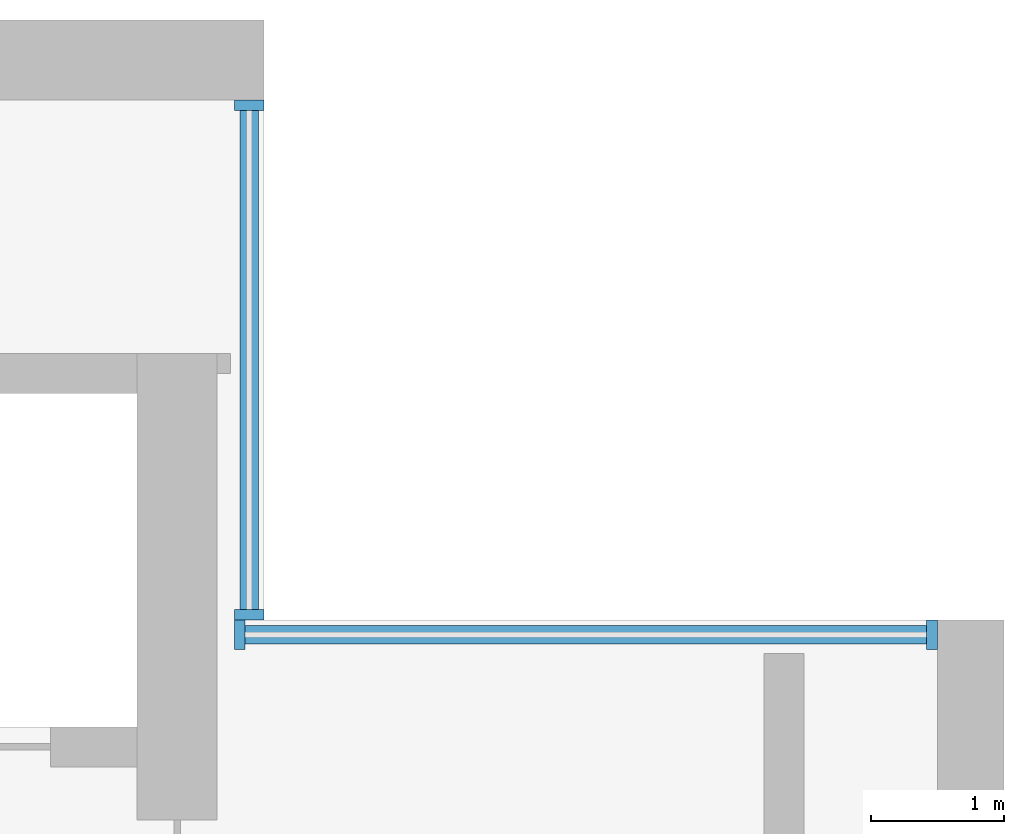
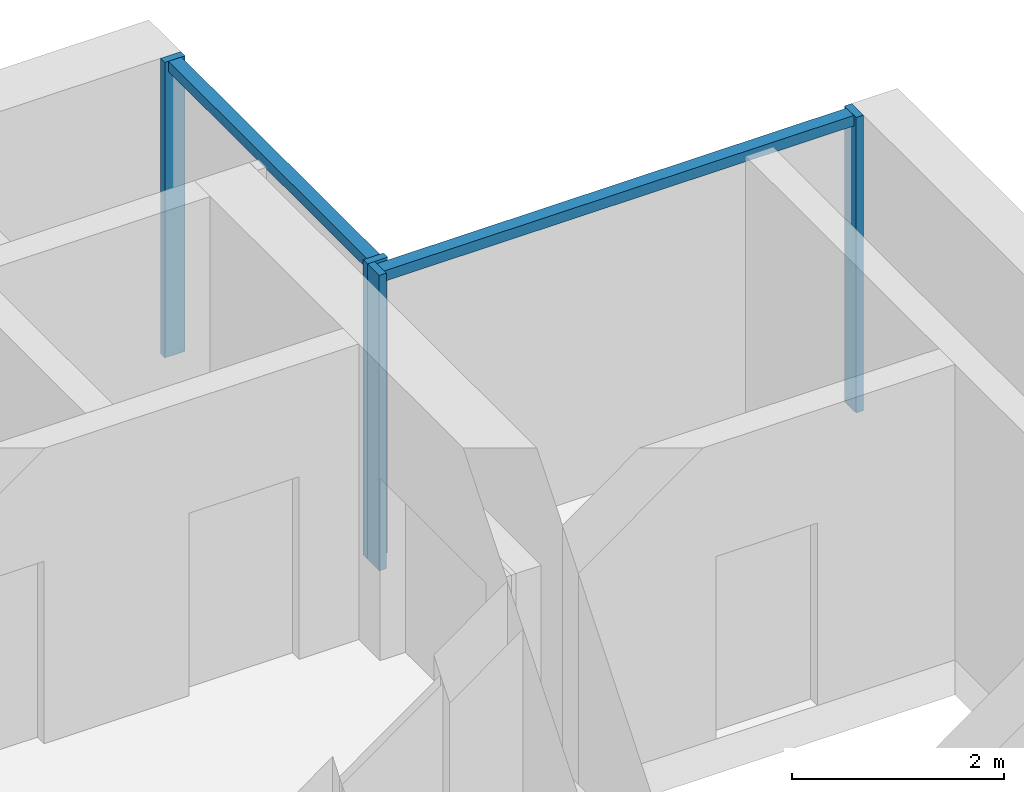
# One storey, part 5 of 14: 6 members, 2 elements without a shape of their own.
"""IFC4 building model written with IfcOpenShell, lengths in metres."""

from ifc_helpers import new_model, si_unit, direction, frame, origin, origin_2d, place, context, subcontext, project, spatial, rectangle, extrude, material, material_profile, profile_set, type_object, element, aggregate, save


model = new_model("IFC4")

# Units and contexts
model_context = context("Model", 3, precision=1e-05, world=origin(), true_north=direction((0.0, 1.0)))
body_context = subcontext(model_context, "Body", "Model", "MODEL_VIEW")
ifc_project = project(units=[si_unit("LENGTHUNIT", "METRE"), si_unit("AREAUNIT", "SQUARE_METRE"), si_unit("VOLUMEUNIT", "CUBIC_METRE"), si_unit("PLANEANGLEUNIT", "RADIAN"), si_unit("MASSUNIT", "GRAM", prefix="KILO")], contexts=[model_context])

# Site, building, storey
site_placement = place(None, origin())
site = spatial("IfcSite", under=ifc_project, at=site_placement, CompositionType="ELEMENT")
building_placement = place(site_placement, origin())
building = spatial("IfcBuilding", under=site, at=building_placement, Name="Calvaro Tower", CompositionType="ELEMENT")
storey_placement = place(building_placement, frame((0.0, 0.0, 258.35009765625)))
storey = spatial("IfcBuildingStorey", under=building, at=storey_placement, Name="L65", CompositionType="ELEMENT", Elevation=258.35009765625)

# Curtain wall, members
ifc_material_1 = material(Name="Anodised aluminium", Category="aluminium")
curtain_wall_type = type_object("IfcCurtainWallType", Name="Executive curtain wall", PredefinedType="NOTDEFINED", material=ifc_material_1)
curtain_wall_1_placement = place(storey_placement, origin())
curtain_wall_1 = element("IfcCurtainWall", 1, at=curtain_wall_1_placement, inside=storey, type_object=curtain_wall_type, Name="CW4 corner curtain wall", PredefinedType="NOTDEFINED")
ifc_material_2 = material(Name="Anodised aluminium", Category="aluminium")
ifc_material_profile_1 = material_profile(ifc_material_2, rectangle(XDim=0.219970703125, YDim=0.080078125, at=origin_2d()), Name="Mullion S4 80 x 220")
ifc_profile_set_1 = profile_set([ifc_material_profile_1], Name="Anodised aluminium")
member_type_1 = type_object("IfcMemberType", Name="Mullion S4 80 x 220", PredefinedType="MULLION", material=ifc_profile_set_1)
member_1_placement = place(storey_placement, frame((60.340087890625, 41.5400390625, 0.0), z_axis=(0.0, 0.0, 1.0), x_axis=(-1.0, 0.0, 0.0)))
member_1 = element("IfcMember", 2, at=member_1_placement, type_object=member_type_1, Name="CW4 mullion 1", PredefinedType="MULLION", context=body_context, shape_type="SweptSolid", body=[
    extrude(rectangle(XDim=0.219970703125, YDim=0.080078125, at=origin_2d()), origin(), (0.0, 0.0, 1.0), 3.39990234375),
])
member_2_placement = place(storey_placement, frame((60.340087890625, 45.360107421875, 0.0), z_axis=(0.0, 0.0, 1.0), x_axis=(-1.0, 0.0, 0.0)))
member_2 = element("IfcMember", 3, at=member_2_placement, type_object=member_type_1, Name="CW4 mullion 2", PredefinedType="MULLION", context=body_context, shape_type="SweptSolid", body=[
    extrude(rectangle(XDim=0.219970703125, YDim=0.080078125, at=origin_2d()), origin(), (0.0, 0.0, 1.0), 3.39990234375),
])

curtain_wall_2_placement = place(storey_placement, origin())
curtain_wall_2 = element("IfcCurtainWall", 4, at=curtain_wall_2_placement, inside=storey, type_object=curtain_wall_type, Name="CW4 corner curtain wall", PredefinedType="NOTDEFINED")
member_3_placement = place(storey_placement, frame((60.27001953125, 41.389892578125, 0.0), z_axis=(0.0, 0.0, 1.0), x_axis=(0.0, 1.0, 0.0)))
member_3 = element("IfcMember", 5, at=member_3_placement, type_object=member_type_1, Name="CW4 mullion 1", PredefinedType="MULLION", context=body_context, shape_type="SweptSolid", body=[
    extrude(rectangle(XDim=0.219970703125, YDim=0.080078125, at=origin_2d()), origin(), (0.0, 0.0, 1.0), 3.39990234375),
])
member_4_placement = place(storey_placement, frame((65.4599609375, 41.389892578125, 0.0), z_axis=(0.0, 0.0, 1.0), x_axis=(0.0, 1.0, 0.0)))
member_4 = element("IfcMember", 6, at=member_4_placement, type_object=member_type_1, Name="CW4 mullion 2", PredefinedType="MULLION", context=body_context, shape_type="SweptSolid", body=[
    extrude(rectangle(XDim=0.219970703125, YDim=0.080078125, at=origin_2d()), origin(), (0.0, 0.0, 1.0), 3.39990234375),
])

# Member
ifc_material_3 = material(Name="Anodised aluminium", Category="aluminium")
ifc_material_profile_2 = material_profile(ifc_material_3, rectangle(XDim=0.139892578125, YDim=0.1201171875, at=origin_2d()), Name="Transom S4 120 x 140")
ifc_profile_set_2 = profile_set([ifc_material_profile_2], Name="Anodised aluminium")
member_type_2 = type_object("IfcMemberType", Name="Transom S4 120 x 140", PredefinedType="USERDEFINED", material=ifc_profile_set_2)
member_5_placement = place(storey_placement, frame((60.340087890625, 41.580078125, 3.33984375), z_axis=(0.0, 1.0, 0.0), x_axis=(-1.0, 0.0, 0.0)))
member_5 = element("IfcMember", 7, at=member_5_placement, type_object=member_type_2, Name="CW4 transom 1.1", ObjectType="TRANSOM", PredefinedType="USERDEFINED", context=body_context, shape_type="SweptSolid", body=[
    extrude(rectangle(XDim=0.139892578125, YDim=0.1201171875, at=origin_2d()), origin(), (0.0, 0.0, 1.0), 3.739990234375),
])

aggregate(curtain_wall_1, [member_1, member_2, member_5])

member_6_placement = place(storey_placement, frame((60.31005859375, 41.389892578125, 3.33984375), z_axis=(1.0, 0.0, 0.0), x_axis=(0.0, 1.0, 0.0)))
member_6 = element("IfcMember", 8, at=member_6_placement, type_object=member_type_2, Name="CW4 transom 1.1", ObjectType="TRANSOM", PredefinedType="USERDEFINED", context=body_context, shape_type="SweptSolid", body=[
    extrude(rectangle(XDim=0.139892578125, YDim=0.1201171875, at=origin_2d()), origin(), (0.0, 0.0, 1.0), 5.10986328125),
])

aggregate(curtain_wall_2, [member_3, member_4, member_6])

save(model, "model.ifc")
